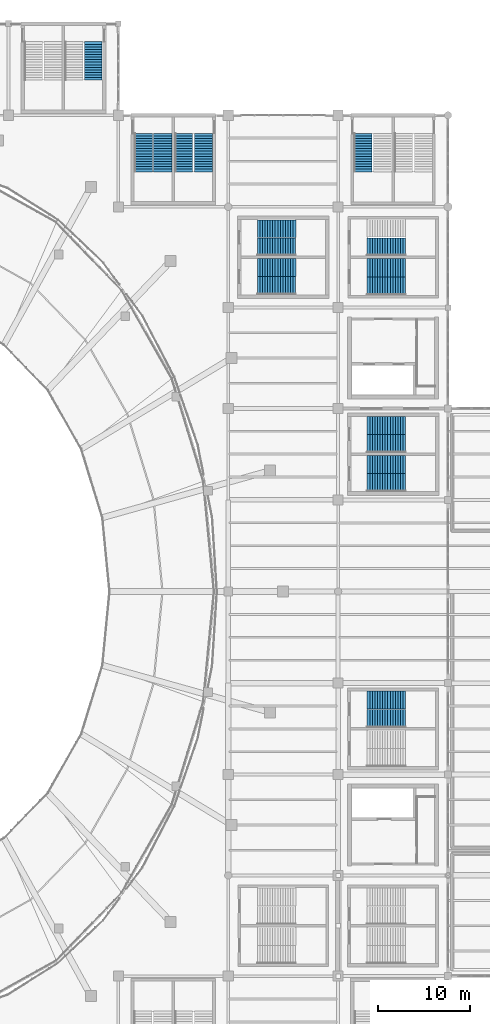
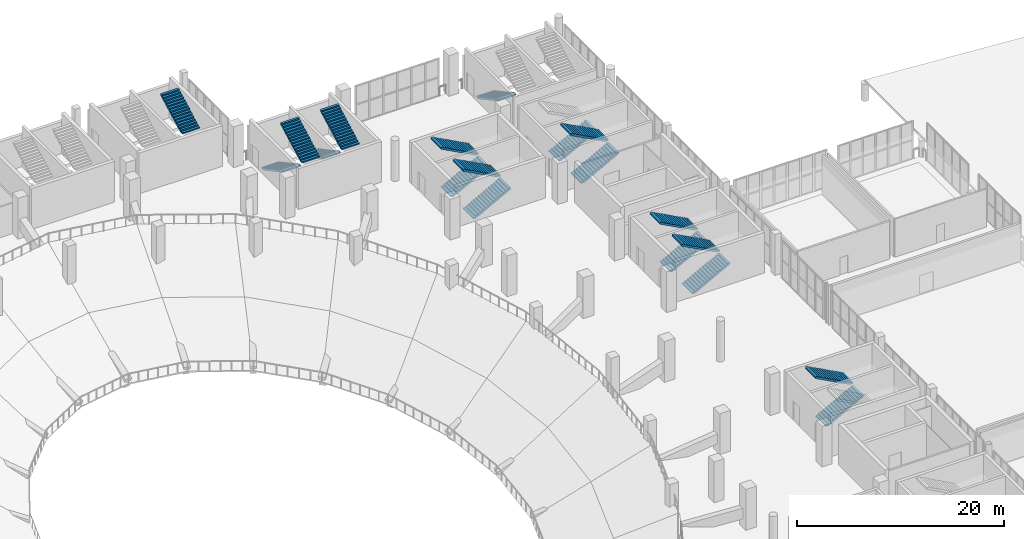
# One storey, part 118 of 136: 19 stair flights, 11 elements without a shape of their own.
"""IFC4 building model written with IfcOpenShell, lengths in metres."""

from ifc_helpers import new_model, si_unit, direction, frame, origin, place, context, subcontext, project, spatial, polyline, outline, extrude, material, layer, layer_set, type_object, element, aggregate, save


model = new_model("IFC4")

# Units and contexts
model_context = context("Model", 3, precision=1e-05, world=origin(), true_north=direction((0.0, 1.0)))
body_context = subcontext(model_context, "Body", "Model", "MODEL_VIEW")
ifc_project = project(units=[si_unit("LENGTHUNIT", "METRE"), si_unit("AREAUNIT", "SQUARE_METRE"), si_unit("VOLUMEUNIT", "CUBIC_METRE"), si_unit("PLANEANGLEUNIT", "RADIAN"), si_unit("MASSUNIT", "GRAM", prefix="KILO")], contexts=[model_context])

# Site, building, storey
site_placement = place(None, origin())
site = spatial("IfcSite", under=ifc_project, at=site_placement, CompositionType="ELEMENT")
building_placement = place(site_placement, origin())
building = spatial("IfcBuilding", under=site, at=building_placement, Name="Brinegate Civic Arena", CompositionType="ELEMENT")
storey_placement = place(building_placement, frame((0.0, 0.0, 5.39990234375)))
storey = spatial("IfcBuildingStorey", under=building, at=storey_placement, Name="L01", CompositionType="ELEMENT", Elevation=5.39990234375)

# Stair, stair flight
ifc_material = material(Name="Concrete C40/50", Category="concrete")
stair_type_1 = type_object("IfcStairType", Name="STAIR-EXIT-3700", PredefinedType="HALF_TURN_STAIR", material=ifc_material)
stair_1_placement = place(storey_placement, origin())
stair_1 = element("IfcStair", 1, at=stair_1_placement, inside=storey, type_object=stair_type_1, Name="Protected Exit Stair ST-03B (L01)", PredefinedType="HALF_TURN_STAIR")
ifc_layer_1 = layer(ifc_material, 0.179931640625, Name="Concrete C40/50")
ifc_layer_set_1 = layer_set([ifc_layer_1], Name="Concrete C40/50")
stair_flight_type_1 = type_object("IfcStairFlightType", Name="FLIGHT-EXIT-3700", PredefinedType="STRAIGHT", material=ifc_layer_set_1)
stair_flight_1_placement = place(storey_placement, frame((129.260009765625, 117.830078125, 2.400146484375), z_axis=(0.0, 0.0, 1.0), x_axis=(0.0, 1.0, 0.0)))
stair_flight_1 = element("IfcStairFlight", 2, at=stair_flight_1_placement, type_object=stair_flight_type_1, Name="ST-03B flight 2", NumberOfRisers=16, NumberOfTreads=15, PredefinedType="STRAIGHT", RiserHeight=0.15, TreadLength=0.28, context=body_context, shape_type="SweptSolid", body=[
    extrude(outline(polyline([(0.0, 0.0), (0.0, 0.14990234375), (0.280029296875, 0.14990234375), (0.280029296875, 0.300048828125), (0.56005859375, 0.300048828125), (0.56005859375, 0.449951171875), (0.840087890625, 0.449951171875), (0.840087890625, 0.60009765625), (1.1201171875, 0.60009765625), (1.1201171875, 0.75), (1.39990234375, 0.75), (1.39990234375, 0.89990234375), (1.679931640625, 0.89990234375), (1.679931640625, 1.050048828125), (1.9599609375, 1.050048828125), (1.9599609375, 1.199951171875), (2.239990234375, 1.199951171875), (2.239990234375, 1.35009765625), (2.52001953125, 1.35009765625), (2.52001953125, 1.5), (2.800048828125, 1.5), (2.800048828125, 1.64990234375), (3.080078125, 1.64990234375), (3.080078125, 1.800048828125), (3.360107421875, 1.800048828125), (3.360107421875, 1.949951171875), (3.639892578125, 1.949951171875), (3.639892578125, 2.10009765625), (3.919921875, 2.10009765625), (3.919921875, 2.25), (4.199951171875, 2.25), (4.199951171875, 2.39990234375), (4.199951171875, 2.0458984375), (0.381103515625, 0.0), (0.0, 0.0)])), frame((0.0, 0.97998046875, 0.0), z_axis=(0.0, -1.0, 0.0), x_axis=(1.0, 0.0, 0.0)), (0.0, 0.0, 1.0), 1.9599609375),
])
aggregate(stair_1, [stair_flight_1])

# Stair, stair flights
stair_2_placement = place(storey_placement, origin())
stair_2 = element("IfcStair", 3, at=stair_2_placement, inside=storey, type_object=stair_type_1, Name="Protected Exit Stair ST-09B (L01)", PredefinedType="HALF_TURN_STAIR")
stair_flight_2_placement = place(storey_placement, frame((159.169921875, 78.139892578125, 0.0), z_axis=(0.0, 0.0, 1.0), x_axis=(1.0, 0.0, 0.0)))
stair_flight_2 = element("IfcStairFlight", 4, at=stair_flight_2_placement, type_object=stair_flight_type_1, Name="ST-09B flight 1", NumberOfRisers=16, NumberOfTreads=15, PredefinedType="STRAIGHT", RiserHeight=0.15, TreadLength=0.28, context=body_context, shape_type="SweptSolid", body=[
    extrude(outline(polyline([(0.0, 0.0), (0.0, 0.14990234375), (0.280029296875, 0.14990234375), (0.280029296875, 0.300048828125), (0.56005859375, 0.300048828125), (0.56005859375, 0.449951171875), (0.840087890625, 0.449951171875), (0.840087890625, 0.60009765625), (1.1201171875, 0.60009765625), (1.1201171875, 0.75), (1.39990234375, 0.75), (1.39990234375, 0.89990234375), (1.679931640625, 0.89990234375), (1.679931640625, 1.050048828125), (1.9599609375, 1.050048828125), (1.9599609375, 1.199951171875), (2.239990234375, 1.199951171875), (2.239990234375, 1.35009765625), (2.52001953125, 1.35009765625), (2.52001953125, 1.5), (2.800048828125, 1.5), (2.800048828125, 1.64990234375), (3.080078125, 1.64990234375), (3.080078125, 1.800048828125), (3.360107421875, 1.800048828125), (3.360107421875, 1.949951171875), (3.639892578125, 1.949951171875), (3.639892578125, 2.10009765625), (3.919921875, 2.10009765625), (3.919921875, 2.25), (4.199951171875, 2.25), (4.199951171875, 2.39990234375), (4.199951171875, 2.0458984375), (0.381103515625, 0.0), (0.0, 0.0)])), frame((0.0, 0.97998046875, 0.0), z_axis=(0.0, -1.0, 0.0), x_axis=(1.0, 0.0, 0.0)), (0.0, 0.0, 1.0), 1.9599609375),
])
stair_flight_3_placement = place(storey_placement, frame((163.3701171875, 80.110107421875, 2.400146484375), z_axis=(0.0, 0.0, 1.0), x_axis=(-1.0, 0.0, 0.0)))
stair_flight_3 = element("IfcStairFlight", 5, at=stair_flight_3_placement, type_object=stair_flight_type_1, Name="ST-09B flight 2", NumberOfRisers=16, NumberOfTreads=15, PredefinedType="STRAIGHT", RiserHeight=0.15, TreadLength=0.28, context=body_context, shape_type="SweptSolid", body=[
    extrude(outline(polyline([(0.0, 0.0), (0.0, 0.14990234375), (0.280029296875, 0.14990234375), (0.280029296875, 0.300048828125), (0.56005859375, 0.300048828125), (0.56005859375, 0.449951171875), (0.840087890625, 0.449951171875), (0.840087890625, 0.60009765625), (1.1201171875, 0.60009765625), (1.1201171875, 0.75), (1.39990234375, 0.75), (1.39990234375, 0.89990234375), (1.679931640625, 0.89990234375), (1.679931640625, 1.050048828125), (1.9599609375, 1.050048828125), (1.9599609375, 1.199951171875), (2.239990234375, 1.199951171875), (2.239990234375, 1.35009765625), (2.52001953125, 1.35009765625), (2.52001953125, 1.5), (2.800048828125, 1.5), (2.800048828125, 1.64990234375), (3.080078125, 1.64990234375), (3.080078125, 1.800048828125), (3.360107421875, 1.800048828125), (3.360107421875, 1.949951171875), (3.639892578125, 1.949951171875), (3.639892578125, 2.10009765625), (3.919921875, 2.10009765625), (3.919921875, 2.25), (4.199951171875, 2.25), (4.199951171875, 2.39990234375), (4.199951171875, 2.0458984375), (0.381103515625, 0.0), (0.0, 0.0)])), frame((0.0, 0.97998046875, 0.0), z_axis=(0.0, -1.0, 0.0), x_axis=(1.0, 0.0, 0.0)), (0.0, 0.0, 1.0), 1.9599609375),
])
aggregate(stair_2, [stair_flight_2, stair_flight_3])

stair_3_placement = place(storey_placement, origin())
stair_3 = element("IfcStair", 6, at=stair_3_placement, inside=storey, type_object=stair_type_1, Name="Protected Exit Stair ST-10B (L01)", PredefinedType="HALF_TURN_STAIR")
stair_flight_4_placement = place(storey_placement, frame((159.169921875, 48.139892578125, 0.0), z_axis=(0.0, 0.0, 1.0), x_axis=(1.0, 0.0, 0.0)))
stair_flight_4 = element("IfcStairFlight", 7, at=stair_flight_4_placement, type_object=stair_flight_type_1, Name="ST-10B flight 1", NumberOfRisers=16, NumberOfTreads=15, PredefinedType="STRAIGHT", RiserHeight=0.15, TreadLength=0.28, context=body_context, shape_type="SweptSolid", body=[
    extrude(outline(polyline([(0.0, 0.0), (0.0, 0.14990234375), (0.280029296875, 0.14990234375), (0.280029296875, 0.300048828125), (0.56005859375, 0.300048828125), (0.56005859375, 0.449951171875), (0.840087890625, 0.449951171875), (0.840087890625, 0.60009765625), (1.1201171875, 0.60009765625), (1.1201171875, 0.75), (1.39990234375, 0.75), (1.39990234375, 0.89990234375), (1.679931640625, 0.89990234375), (1.679931640625, 1.050048828125), (1.9599609375, 1.050048828125), (1.9599609375, 1.199951171875), (2.239990234375, 1.199951171875), (2.239990234375, 1.35009765625), (2.52001953125, 1.35009765625), (2.52001953125, 1.5), (2.800048828125, 1.5), (2.800048828125, 1.64990234375), (3.080078125, 1.64990234375), (3.080078125, 1.800048828125), (3.360107421875, 1.800048828125), (3.360107421875, 1.949951171875), (3.639892578125, 1.949951171875), (3.639892578125, 2.10009765625), (3.919921875, 2.10009765625), (3.919921875, 2.25), (4.199951171875, 2.25), (4.199951171875, 2.39990234375), (4.199951171875, 2.0458984375), (0.381103515625, 0.0), (0.0, 0.0)])), frame((0.0, 0.97998046875, 0.0), z_axis=(0.0, -1.0, 0.0), x_axis=(1.0, 0.0, 0.0)), (0.0, 0.0, 1.0), 1.9599609375),
])
stair_flight_5_placement = place(storey_placement, frame((163.3701171875, 50.1298828125, 2.400146484375), z_axis=(0.0, 0.0, 1.0), x_axis=(-1.0, 0.0, 0.0)))
stair_flight_5 = element("IfcStairFlight", 8, at=stair_flight_5_placement, type_object=stair_flight_type_1, Name="ST-10B flight 2", NumberOfRisers=16, NumberOfTreads=15, PredefinedType="STRAIGHT", RiserHeight=0.15, TreadLength=0.28, context=body_context, shape_type="SweptSolid", body=[
    extrude(outline(polyline([(0.0, 0.0), (0.0, 0.14990234375), (0.280029296875, 0.14990234375), (0.280029296875, 0.300048828125), (0.56005859375, 0.300048828125), (0.56005859375, 0.449951171875), (0.840087890625, 0.449951171875), (0.840087890625, 0.60009765625), (1.1201171875, 0.60009765625), (1.1201171875, 0.75), (1.39990234375, 0.75), (1.39990234375, 0.89990234375), (1.679931640625, 0.89990234375), (1.679931640625, 1.050048828125), (1.9599609375, 1.050048828125), (1.9599609375, 1.199951171875), (2.239990234375, 1.199951171875), (2.239990234375, 1.35009765625), (2.52001953125, 1.35009765625), (2.52001953125, 1.5), (2.800048828125, 1.5), (2.800048828125, 1.64990234375), (3.080078125, 1.64990234375), (3.080078125, 1.800048828125), (3.360107421875, 1.800048828125), (3.360107421875, 1.949951171875), (3.639892578125, 1.949951171875), (3.639892578125, 2.10009765625), (3.919921875, 2.10009765625), (3.919921875, 2.25), (4.199951171875, 2.25), (4.199951171875, 2.39990234375), (4.199951171875, 2.0458984375), (0.381103515625, 0.0), (0.0, 0.0)])), frame((0.0, 0.97998046875, 0.0), z_axis=(0.0, -1.0, 0.0), x_axis=(1.0, 0.0, 0.0)), (0.0, 0.0, 1.0), 1.9599609375),
])
aggregate(stair_3, [stair_flight_4, stair_flight_5])

stair_4_placement = place(storey_placement, origin())
stair_4 = element("IfcStair", 9, at=stair_4_placement, inside=storey, type_object=stair_type_1, Name="Protected Exit Stair ST-13B (L01)", PredefinedType="HALF_TURN_STAIR")
stair_flight_6_placement = place(storey_placement, frame((139.139892578125, 112.030029296875, 0.0), z_axis=(0.0, 0.0, 1.0), x_axis=(0.0, -1.0, 0.0)))
stair_flight_6 = element("IfcStairFlight", 10, at=stair_flight_6_placement, type_object=stair_flight_type_1, Name="ST-13B flight 1", NumberOfRisers=16, NumberOfTreads=15, PredefinedType="STRAIGHT", RiserHeight=0.15, TreadLength=0.28, context=body_context, shape_type="SweptSolid", body=[
    extrude(outline(polyline([(0.0, 0.0), (0.0, 0.14990234375), (0.280029296875, 0.14990234375), (0.280029296875, 0.300048828125), (0.56005859375, 0.300048828125), (0.56005859375, 0.449951171875), (0.840087890625, 0.449951171875), (0.840087890625, 0.60009765625), (1.1201171875, 0.60009765625), (1.1201171875, 0.75), (1.39990234375, 0.75), (1.39990234375, 0.89990234375), (1.679931640625, 0.89990234375), (1.679931640625, 1.050048828125), (1.9599609375, 1.050048828125), (1.9599609375, 1.199951171875), (2.239990234375, 1.199951171875), (2.239990234375, 1.35009765625), (2.52001953125, 1.35009765625), (2.52001953125, 1.5), (2.800048828125, 1.5), (2.800048828125, 1.64990234375), (3.080078125, 1.64990234375), (3.080078125, 1.800048828125), (3.360107421875, 1.800048828125), (3.360107421875, 1.949951171875), (3.639892578125, 1.949951171875), (3.639892578125, 2.10009765625), (3.919921875, 2.10009765625), (3.919921875, 2.25), (4.199951171875, 2.25), (4.199951171875, 2.39990234375), (4.199951171875, 2.0458984375), (0.381103515625, 0.0), (0.0, 0.0)])), frame((0.0, 0.97998046875, 0.0), z_axis=(0.0, -1.0, 0.0), x_axis=(1.0, 0.0, 0.0)), (0.0, 0.0, 1.0), 1.9599609375),
])
stair_flight_7_placement = place(storey_placement, frame((141.280029296875, 107.830078125, 2.400146484375), z_axis=(0.0, 0.0, 1.0), x_axis=(0.0, 1.0, 0.0)))
stair_flight_7 = element("IfcStairFlight", 11, at=stair_flight_7_placement, type_object=stair_flight_type_1, Name="ST-13B flight 2", NumberOfRisers=16, NumberOfTreads=15, PredefinedType="STRAIGHT", RiserHeight=0.15, TreadLength=0.28, context=body_context, shape_type="SweptSolid", body=[
    extrude(outline(polyline([(0.0, 0.0), (0.0, 0.14990234375), (0.280029296875, 0.14990234375), (0.280029296875, 0.300048828125), (0.56005859375, 0.300048828125), (0.56005859375, 0.449951171875), (0.840087890625, 0.449951171875), (0.840087890625, 0.60009765625), (1.1201171875, 0.60009765625), (1.1201171875, 0.75), (1.39990234375, 0.75), (1.39990234375, 0.89990234375), (1.679931640625, 0.89990234375), (1.679931640625, 1.050048828125), (1.9599609375, 1.050048828125), (1.9599609375, 1.199951171875), (2.239990234375, 1.199951171875), (2.239990234375, 1.35009765625), (2.52001953125, 1.35009765625), (2.52001953125, 1.5), (2.800048828125, 1.5), (2.800048828125, 1.64990234375), (3.080078125, 1.64990234375), (3.080078125, 1.800048828125), (3.360107421875, 1.800048828125), (3.360107421875, 1.949951171875), (3.639892578125, 1.949951171875), (3.639892578125, 2.10009765625), (3.919921875, 2.10009765625), (3.919921875, 2.25), (4.199951171875, 2.25), (4.199951171875, 2.39990234375), (4.199951171875, 2.0458984375), (0.381103515625, 0.0), (0.0, 0.0)])), frame((0.0, 0.97998046875, 0.0), z_axis=(0.0, -1.0, 0.0), x_axis=(1.0, 0.0, 0.0)), (0.0, 0.0, 1.0), 1.9599609375),
])
aggregate(stair_4, [stair_flight_6, stair_flight_7])

stair_5_placement = place(storey_placement, origin())
stair_5 = element("IfcStair", 12, at=stair_5_placement, inside=storey, type_object=stair_type_1, Name="Protected Exit Stair ST-18B (L01)", PredefinedType="HALF_TURN_STAIR")
stair_flight_8_placement = place(storey_placement, frame((147.169921875, 99.639892578125, 0.0), z_axis=(0.0, 0.0, 1.0), x_axis=(1.0, 0.0, 0.0)))
stair_flight_8 = element("IfcStairFlight", 13, at=stair_flight_8_placement, type_object=stair_flight_type_1, Name="ST-18B flight 1", NumberOfRisers=16, NumberOfTreads=15, PredefinedType="STRAIGHT", RiserHeight=0.15, TreadLength=0.28, context=body_context, shape_type="SweptSolid", body=[
    extrude(outline(polyline([(0.0, 0.0), (0.0, 0.14990234375), (0.280029296875, 0.14990234375), (0.280029296875, 0.300048828125), (0.56005859375, 0.300048828125), (0.56005859375, 0.449951171875), (0.840087890625, 0.449951171875), (0.840087890625, 0.60009765625), (1.1201171875, 0.60009765625), (1.1201171875, 0.75), (1.39990234375, 0.75), (1.39990234375, 0.89990234375), (1.679931640625, 0.89990234375), (1.679931640625, 1.050048828125), (1.9599609375, 1.050048828125), (1.9599609375, 1.199951171875), (2.239990234375, 1.199951171875), (2.239990234375, 1.35009765625), (2.52001953125, 1.35009765625), (2.52001953125, 1.5), (2.800048828125, 1.5), (2.800048828125, 1.64990234375), (3.080078125, 1.64990234375), (3.080078125, 1.800048828125), (3.360107421875, 1.800048828125), (3.360107421875, 1.949951171875), (3.639892578125, 1.949951171875), (3.639892578125, 2.10009765625), (3.919921875, 2.10009765625), (3.919921875, 2.25), (4.199951171875, 2.25), (4.199951171875, 2.39990234375), (4.199951171875, 2.0458984375), (0.381103515625, 0.0), (0.0, 0.0)])), frame((0.0, 0.97998046875, 0.0), z_axis=(0.0, -1.0, 0.0), x_axis=(1.0, 0.0, 0.0)), (0.0, 0.0, 1.0), 1.9599609375),
])
stair_flight_9_placement = place(storey_placement, frame((151.3701171875, 101.610107421875, 2.400146484375), z_axis=(0.0, 0.0, 1.0), x_axis=(-1.0, 0.0, 0.0)))
stair_flight_9 = element("IfcStairFlight", 14, at=stair_flight_9_placement, type_object=stair_flight_type_1, Name="ST-18B flight 2", NumberOfRisers=16, NumberOfTreads=15, PredefinedType="STRAIGHT", RiserHeight=0.15, TreadLength=0.28, context=body_context, shape_type="SweptSolid", body=[
    extrude(outline(polyline([(0.0, 0.0), (0.0, 0.14990234375), (0.280029296875, 0.14990234375), (0.280029296875, 0.300048828125), (0.56005859375, 0.300048828125), (0.56005859375, 0.449951171875), (0.840087890625, 0.449951171875), (0.840087890625, 0.60009765625), (1.1201171875, 0.60009765625), (1.1201171875, 0.75), (1.39990234375, 0.75), (1.39990234375, 0.89990234375), (1.679931640625, 0.89990234375), (1.679931640625, 1.050048828125), (1.9599609375, 1.050048828125), (1.9599609375, 1.199951171875), (2.239990234375, 1.199951171875), (2.239990234375, 1.35009765625), (2.52001953125, 1.35009765625), (2.52001953125, 1.5), (2.800048828125, 1.5), (2.800048828125, 1.64990234375), (3.080078125, 1.64990234375), (3.080078125, 1.800048828125), (3.360107421875, 1.800048828125), (3.360107421875, 1.949951171875), (3.639892578125, 1.949951171875), (3.639892578125, 2.10009765625), (3.919921875, 2.10009765625), (3.919921875, 2.25), (4.199951171875, 2.25), (4.199951171875, 2.39990234375), (4.199951171875, 2.0458984375), (0.381103515625, 0.0), (0.0, 0.0)])), frame((0.0, 0.97998046875, 0.0), z_axis=(0.0, -1.0, 0.0), x_axis=(1.0, 0.0, 0.0)), (0.0, 0.0, 1.0), 1.9599609375),
])
aggregate(stair_5, [stair_flight_8, stair_flight_9])

# Stair, stair flight
stair_6_placement = place(storey_placement, origin())
stair_6 = element("IfcStair", 15, at=stair_6_placement, inside=storey, type_object=stair_type_1, Name="Protected Exit Stair ST-20B (L01)", PredefinedType="HALF_TURN_STAIR")
stair_flight_10_placement = place(storey_placement, frame((159.169921875, 99.639892578125, 0.0), z_axis=(0.0, 0.0, 1.0), x_axis=(1.0, 0.0, 0.0)))
stair_flight_10 = element("IfcStairFlight", 16, at=stair_flight_10_placement, type_object=stair_flight_type_1, Name="ST-20B flight 1", NumberOfRisers=16, NumberOfTreads=15, PredefinedType="STRAIGHT", RiserHeight=0.15, TreadLength=0.28, context=body_context, shape_type="SweptSolid", body=[
    extrude(outline(polyline([(0.0, 0.0), (0.0, 0.14990234375), (0.280029296875, 0.14990234375), (0.280029296875, 0.300048828125), (0.56005859375, 0.300048828125), (0.56005859375, 0.449951171875), (0.840087890625, 0.449951171875), (0.840087890625, 0.60009765625), (1.1201171875, 0.60009765625), (1.1201171875, 0.75), (1.39990234375, 0.75), (1.39990234375, 0.89990234375), (1.679931640625, 0.89990234375), (1.679931640625, 1.050048828125), (1.9599609375, 1.050048828125), (1.9599609375, 1.199951171875), (2.239990234375, 1.199951171875), (2.239990234375, 1.35009765625), (2.52001953125, 1.35009765625), (2.52001953125, 1.5), (2.800048828125, 1.5), (2.800048828125, 1.64990234375), (3.080078125, 1.64990234375), (3.080078125, 1.800048828125), (3.360107421875, 1.800048828125), (3.360107421875, 1.949951171875), (3.639892578125, 1.949951171875), (3.639892578125, 2.10009765625), (3.919921875, 2.10009765625), (3.919921875, 2.25), (4.199951171875, 2.25), (4.199951171875, 2.39990234375), (4.199951171875, 2.0458984375), (0.381103515625, 0.0), (0.0, 0.0)])), frame((0.0, 0.97998046875, 0.0), z_axis=(0.0, -1.0, 0.0), x_axis=(1.0, 0.0, 0.0)), (0.0, 0.0, 1.0), 1.9599609375),
])
aggregate(stair_6, [stair_flight_10])

stair_type_2 = type_object("IfcStairType", Name="STAIR-EXIT-3850", PredefinedType="HALF_TURN_STAIR", material=ifc_material)
stair_7_placement = place(storey_placement, origin())
stair_7 = element("IfcStair", 17, at=stair_7_placement, inside=storey, type_object=stair_type_2, Name="Protected Exit Stair ST-05A (L01)", PredefinedType="HALF_TURN_STAIR")
ifc_layer_2 = layer(ifc_material, 0.179931640625, Name="Concrete C40/50")
ifc_layer_set_2 = layer_set([ifc_layer_2], Name="Concrete C40/50")
stair_flight_type_2 = type_object("IfcStairFlightType", Name="FLIGHT-EXIT-3850", PredefinedType="STRAIGHT", material=ifc_layer_set_2)
stair_flight_11_placement = place(storey_placement, frame((158.699951171875, 112.030029296875, 0.0), z_axis=(0.0, 0.0, 1.0), x_axis=(0.0, -1.0, 0.0)))
stair_flight_11 = element("IfcStairFlight", 18, at=stair_flight_11_placement, type_object=stair_flight_type_2, Name="ST-05A flight 1", NumberOfRisers=16, NumberOfTreads=15, PredefinedType="STRAIGHT", RiserHeight=0.15, TreadLength=0.28, context=body_context, shape_type="SweptSolid", body=[
    extrude(outline(polyline([(0.0, 0.0), (0.0, 0.14990234375), (0.280029296875, 0.14990234375), (0.280029296875, 0.300048828125), (0.56005859375, 0.300048828125), (0.56005859375, 0.449951171875), (0.840087890625, 0.449951171875), (0.840087890625, 0.60009765625), (1.1201171875, 0.60009765625), (1.1201171875, 0.75), (1.39990234375, 0.75), (1.39990234375, 0.89990234375), (1.679931640625, 0.89990234375), (1.679931640625, 1.050048828125), (1.9599609375, 1.050048828125), (1.9599609375, 1.199951171875), (2.239990234375, 1.199951171875), (2.239990234375, 1.35009765625), (2.52001953125, 1.35009765625), (2.52001953125, 1.5), (2.800048828125, 1.5), (2.800048828125, 1.64990234375), (3.080078125, 1.64990234375), (3.080078125, 1.800048828125), (3.360107421875, 1.800048828125), (3.360107421875, 1.949951171875), (3.639892578125, 1.949951171875), (3.639892578125, 2.10009765625), (3.919921875, 2.10009765625), (3.919921875, 2.25), (4.199951171875, 2.25), (4.199951171875, 2.39990234375), (4.199951171875, 2.0458984375), (0.381103515625, 0.0), (0.0, 0.0)])), frame((0.0, 0.989990234375, 0.0), z_axis=(0.0, -1.0, 0.0), x_axis=(1.0, 0.0, 0.0)), (0.0, 0.0, 1.0), 1.97998046875),
])
aggregate(stair_7, [stair_flight_11])

# Stair, stair flights
stair_8_placement = place(storey_placement, origin())
stair_8 = element("IfcStair", 19, at=stair_8_placement, inside=storey, type_object=stair_type_2, Name="Protected Exit Stair ST-09A (L01)", PredefinedType="HALF_TURN_STAIR")
stair_flight_12_placement = place(storey_placement, frame((159.169921875, 73.89306640625, 0.0), z_axis=(0.0, 0.0, 1.0), x_axis=(1.0, 0.0, 0.0)))
stair_flight_12 = element("IfcStairFlight", 20, at=stair_flight_12_placement, type_object=stair_flight_type_2, Name="ST-09A flight 1", NumberOfRisers=16, NumberOfTreads=15, PredefinedType="STRAIGHT", RiserHeight=0.15, TreadLength=0.28, context=body_context, shape_type="SweptSolid", body=[
    extrude(outline(polyline([(0.0, 0.0), (0.0, 0.14990234375), (0.280029296875, 0.14990234375), (0.280029296875, 0.300048828125), (0.56005859375, 0.300048828125), (0.56005859375, 0.449951171875), (0.840087890625, 0.449951171875), (0.840087890625, 0.60009765625), (1.1201171875, 0.60009765625), (1.1201171875, 0.75), (1.39990234375, 0.75), (1.39990234375, 0.89990234375), (1.679931640625, 0.89990234375), (1.679931640625, 1.050048828125), (1.9599609375, 1.050048828125), (1.9599609375, 1.199951171875), (2.239990234375, 1.199951171875), (2.239990234375, 1.35009765625), (2.52001953125, 1.35009765625), (2.52001953125, 1.5), (2.800048828125, 1.5), (2.800048828125, 1.64990234375), (3.080078125, 1.64990234375), (3.080078125, 1.800048828125), (3.360107421875, 1.800048828125), (3.360107421875, 1.949951171875), (3.639892578125, 1.949951171875), (3.639892578125, 2.10009765625), (3.919921875, 2.10009765625), (3.919921875, 2.25), (4.199951171875, 2.25), (4.199951171875, 2.39990234375), (4.199951171875, 2.0458984375), (0.381103515625, 0.0), (0.0, 0.0)])), frame((0.0, 0.982421875, 0.0), z_axis=(0.0, -1.0, 0.0), x_axis=(1.0, 0.0, 0.0)), (0.0, 0.0, 1.0), 1.965087890625),
])
stair_flight_13_placement = place(storey_placement, frame((163.3701171875, 75.85791015625, 2.400146484375), z_axis=(0.0, 0.0, 1.0), x_axis=(-1.0, 0.0, 0.0)))
stair_flight_13 = element("IfcStairFlight", 21, at=stair_flight_13_placement, type_object=stair_flight_type_2, Name="ST-09A flight 2", NumberOfRisers=16, NumberOfTreads=15, PredefinedType="STRAIGHT", RiserHeight=0.15, TreadLength=0.28, context=body_context, shape_type="SweptSolid", body=[
    extrude(outline(polyline([(0.0, 0.0), (0.0, 0.14990234375), (0.280029296875, 0.14990234375), (0.280029296875, 0.300048828125), (0.56005859375, 0.300048828125), (0.56005859375, 0.449951171875), (0.840087890625, 0.449951171875), (0.840087890625, 0.60009765625), (1.1201171875, 0.60009765625), (1.1201171875, 0.75), (1.39990234375, 0.75), (1.39990234375, 0.89990234375), (1.679931640625, 0.89990234375), (1.679931640625, 1.050048828125), (1.9599609375, 1.050048828125), (1.9599609375, 1.199951171875), (2.239990234375, 1.199951171875), (2.239990234375, 1.35009765625), (2.52001953125, 1.35009765625), (2.52001953125, 1.5), (2.800048828125, 1.5), (2.800048828125, 1.64990234375), (3.080078125, 1.64990234375), (3.080078125, 1.800048828125), (3.360107421875, 1.800048828125), (3.360107421875, 1.949951171875), (3.639892578125, 1.949951171875), (3.639892578125, 2.10009765625), (3.919921875, 2.10009765625), (3.919921875, 2.25), (4.199951171875, 2.25), (4.199951171875, 2.39990234375), (4.199951171875, 2.0458984375), (0.381103515625, 0.0), (0.0, 0.0)])), frame((0.0, 0.982421875, 0.0), z_axis=(0.0, -1.0, 0.0), x_axis=(1.0, 0.0, 0.0)), (0.0, 0.0, 1.0), 1.965087890625),
])
aggregate(stair_8, [stair_flight_12, stair_flight_13])

stair_9_placement = place(storey_placement, origin())
stair_9 = element("IfcStair", 22, at=stair_9_placement, inside=storey, type_object=stair_type_2, Name="Protected Exit Stair ST-13A (L01)", PredefinedType="HALF_TURN_STAIR")
stair_flight_14_placement = place(storey_placement, frame((134.72998046875, 112.030029296875, 0.0), z_axis=(0.0, 0.0, 1.0), x_axis=(0.0, -1.0, 0.0)))
stair_flight_14 = element("IfcStairFlight", 23, at=stair_flight_14_placement, type_object=stair_flight_type_2, Name="ST-13A flight 1", NumberOfRisers=16, NumberOfTreads=15, PredefinedType="STRAIGHT", RiserHeight=0.15, TreadLength=0.28, context=body_context, shape_type="SweptSolid", body=[
    extrude(outline(polyline([(0.0, 0.0), (0.0, 0.14990234375), (0.280029296875, 0.14990234375), (0.280029296875, 0.300048828125), (0.56005859375, 0.300048828125), (0.56005859375, 0.449951171875), (0.840087890625, 0.449951171875), (0.840087890625, 0.60009765625), (1.1201171875, 0.60009765625), (1.1201171875, 0.75), (1.39990234375, 0.75), (1.39990234375, 0.89990234375), (1.679931640625, 0.89990234375), (1.679931640625, 1.050048828125), (1.9599609375, 1.050048828125), (1.9599609375, 1.199951171875), (2.239990234375, 1.199951171875), (2.239990234375, 1.35009765625), (2.52001953125, 1.35009765625), (2.52001953125, 1.5), (2.800048828125, 1.5), (2.800048828125, 1.64990234375), (3.080078125, 1.64990234375), (3.080078125, 1.800048828125), (3.360107421875, 1.800048828125), (3.360107421875, 1.949951171875), (3.639892578125, 1.949951171875), (3.639892578125, 2.10009765625), (3.919921875, 2.10009765625), (3.919921875, 2.25), (4.199951171875, 2.25), (4.199951171875, 2.39990234375), (4.199951171875, 2.0458984375), (0.381103515625, 0.0), (0.0, 0.0)])), frame((0.0, 0.989990234375, 0.0), z_axis=(0.0, -1.0, 0.0), x_axis=(1.0, 0.0, 0.0)), (0.0, 0.0, 1.0), 1.97998046875),
])
stair_flight_15_placement = place(storey_placement, frame((136.85009765625, 107.830078125, 2.400146484375), z_axis=(0.0, 0.0, 1.0), x_axis=(0.0, 1.0, 0.0)))
stair_flight_15 = element("IfcStairFlight", 24, at=stair_flight_15_placement, type_object=stair_flight_type_2, Name="ST-13A flight 2", NumberOfRisers=16, NumberOfTreads=15, PredefinedType="STRAIGHT", RiserHeight=0.15, TreadLength=0.28, context=body_context, shape_type="SweptSolid", body=[
    extrude(outline(polyline([(0.0, 0.0), (0.0, 0.14990234375), (0.280029296875, 0.14990234375), (0.280029296875, 0.300048828125), (0.56005859375, 0.300048828125), (0.56005859375, 0.449951171875), (0.840087890625, 0.449951171875), (0.840087890625, 0.60009765625), (1.1201171875, 0.60009765625), (1.1201171875, 0.75), (1.39990234375, 0.75), (1.39990234375, 0.89990234375), (1.679931640625, 0.89990234375), (1.679931640625, 1.050048828125), (1.9599609375, 1.050048828125), (1.9599609375, 1.199951171875), (2.239990234375, 1.199951171875), (2.239990234375, 1.35009765625), (2.52001953125, 1.35009765625), (2.52001953125, 1.5), (2.800048828125, 1.5), (2.800048828125, 1.64990234375), (3.080078125, 1.64990234375), (3.080078125, 1.800048828125), (3.360107421875, 1.800048828125), (3.360107421875, 1.949951171875), (3.639892578125, 1.949951171875), (3.639892578125, 2.10009765625), (3.919921875, 2.10009765625), (3.919921875, 2.25), (4.199951171875, 2.25), (4.199951171875, 2.39990234375), (4.199951171875, 2.0458984375), (0.381103515625, 0.0), (0.0, 0.0)])), frame((0.0, 0.989990234375, 0.0), z_axis=(0.0, -1.0, 0.0), x_axis=(1.0, 0.0, 0.0)), (0.0, 0.0, 1.0), 1.97998046875),
])
aggregate(stair_9, [stair_flight_14, stair_flight_15])

stair_10_placement = place(storey_placement, origin())
stair_10 = element("IfcStair", 25, at=stair_10_placement, inside=storey, type_object=stair_type_2, Name="Protected Exit Stair ST-18A (L01)", PredefinedType="HALF_TURN_STAIR")
stair_flight_16_placement = place(storey_placement, frame((147.169921875, 95.39306640625, 0.0), z_axis=(0.0, 0.0, 1.0), x_axis=(1.0, 0.0, 0.0)))
stair_flight_16 = element("IfcStairFlight", 26, at=stair_flight_16_placement, type_object=stair_flight_type_2, Name="ST-18A flight 1", NumberOfRisers=16, NumberOfTreads=15, PredefinedType="STRAIGHT", RiserHeight=0.15, TreadLength=0.28, context=body_context, shape_type="SweptSolid", body=[
    extrude(outline(polyline([(0.0, 0.0), (0.0, 0.14990234375), (0.280029296875, 0.14990234375), (0.280029296875, 0.300048828125), (0.56005859375, 0.300048828125), (0.56005859375, 0.449951171875), (0.840087890625, 0.449951171875), (0.840087890625, 0.60009765625), (1.1201171875, 0.60009765625), (1.1201171875, 0.75), (1.39990234375, 0.75), (1.39990234375, 0.89990234375), (1.679931640625, 0.89990234375), (1.679931640625, 1.050048828125), (1.9599609375, 1.050048828125), (1.9599609375, 1.199951171875), (2.239990234375, 1.199951171875), (2.239990234375, 1.35009765625), (2.52001953125, 1.35009765625), (2.52001953125, 1.5), (2.800048828125, 1.5), (2.800048828125, 1.64990234375), (3.080078125, 1.64990234375), (3.080078125, 1.800048828125), (3.360107421875, 1.800048828125), (3.360107421875, 1.949951171875), (3.639892578125, 1.949951171875), (3.639892578125, 2.10009765625), (3.919921875, 2.10009765625), (3.919921875, 2.25), (4.199951171875, 2.25), (4.199951171875, 2.39990234375), (4.199951171875, 2.0458984375), (0.381103515625, 0.0), (0.0, 0.0)])), frame((0.0, 0.982421875, 0.0), z_axis=(0.0, -1.0, 0.0), x_axis=(1.0, 0.0, 0.0)), (0.0, 0.0, 1.0), 1.965087890625),
])
stair_flight_17_placement = place(storey_placement, frame((151.3701171875, 97.35791015625, 2.400146484375), z_axis=(0.0, 0.0, 1.0), x_axis=(-1.0, 0.0, 0.0)))
stair_flight_17 = element("IfcStairFlight", 27, at=stair_flight_17_placement, type_object=stair_flight_type_2, Name="ST-18A flight 2", NumberOfRisers=16, NumberOfTreads=15, PredefinedType="STRAIGHT", RiserHeight=0.15, TreadLength=0.28, context=body_context, shape_type="SweptSolid", body=[
    extrude(outline(polyline([(0.0, 0.0), (0.0, 0.14990234375), (0.280029296875, 0.14990234375), (0.280029296875, 0.300048828125), (0.56005859375, 0.300048828125), (0.56005859375, 0.449951171875), (0.840087890625, 0.449951171875), (0.840087890625, 0.60009765625), (1.1201171875, 0.60009765625), (1.1201171875, 0.75), (1.39990234375, 0.75), (1.39990234375, 0.89990234375), (1.679931640625, 0.89990234375), (1.679931640625, 1.050048828125), (1.9599609375, 1.050048828125), (1.9599609375, 1.199951171875), (2.239990234375, 1.199951171875), (2.239990234375, 1.35009765625), (2.52001953125, 1.35009765625), (2.52001953125, 1.5), (2.800048828125, 1.5), (2.800048828125, 1.64990234375), (3.080078125, 1.64990234375), (3.080078125, 1.800048828125), (3.360107421875, 1.800048828125), (3.360107421875, 1.949951171875), (3.639892578125, 1.949951171875), (3.639892578125, 2.10009765625), (3.919921875, 2.10009765625), (3.919921875, 2.25), (4.199951171875, 2.25), (4.199951171875, 2.39990234375), (4.199951171875, 2.0458984375), (0.381103515625, 0.0), (0.0, 0.0)])), frame((0.0, 0.982421875, 0.0), z_axis=(0.0, -1.0, 0.0), x_axis=(1.0, 0.0, 0.0)), (0.0, 0.0, 1.0), 1.965087890625),
])
aggregate(stair_10, [stair_flight_16, stair_flight_17])

stair_11_placement = place(storey_placement, origin())
stair_11 = element("IfcStair", 28, at=stair_11_placement, inside=storey, type_object=stair_type_2, Name="Protected Exit Stair ST-20A (L01)", PredefinedType="HALF_TURN_STAIR")
stair_flight_18_placement = place(storey_placement, frame((159.169921875, 95.35009765625, 0.0), z_axis=(0.0, 0.0, 1.0), x_axis=(1.0, 0.0, 0.0)))
stair_flight_18 = element("IfcStairFlight", 29, at=stair_flight_18_placement, type_object=stair_flight_type_2, Name="ST-20A flight 1", NumberOfRisers=16, NumberOfTreads=15, PredefinedType="STRAIGHT", RiserHeight=0.15, TreadLength=0.28, context=body_context, shape_type="SweptSolid", body=[
    extrude(outline(polyline([(0.0, 0.0), (0.0, 0.14990234375), (0.280029296875, 0.14990234375), (0.280029296875, 0.300048828125), (0.56005859375, 0.300048828125), (0.56005859375, 0.449951171875), (0.840087890625, 0.449951171875), (0.840087890625, 0.60009765625), (1.1201171875, 0.60009765625), (1.1201171875, 0.75), (1.39990234375, 0.75), (1.39990234375, 0.89990234375), (1.679931640625, 0.89990234375), (1.679931640625, 1.050048828125), (1.9599609375, 1.050048828125), (1.9599609375, 1.199951171875), (2.239990234375, 1.199951171875), (2.239990234375, 1.35009765625), (2.52001953125, 1.35009765625), (2.52001953125, 1.5), (2.800048828125, 1.5), (2.800048828125, 1.64990234375), (3.080078125, 1.64990234375), (3.080078125, 1.800048828125), (3.360107421875, 1.800048828125), (3.360107421875, 1.949951171875), (3.639892578125, 1.949951171875), (3.639892578125, 2.10009765625), (3.919921875, 2.10009765625), (3.919921875, 2.25), (4.199951171875, 2.25), (4.199951171875, 2.39990234375), (4.199951171875, 2.0458984375), (0.381103515625, 0.0), (0.0, 0.0)])), frame((0.0, 0.989990234375, 0.0), z_axis=(0.0, -1.0, 0.0), x_axis=(1.0, 0.0, 0.0)), (0.0, 0.0, 1.0), 1.97998046875),
])
stair_flight_19_placement = place(storey_placement, frame((163.3701171875, 97.35009765625, 2.400146484375), z_axis=(0.0, 0.0, 1.0), x_axis=(-1.0, 0.0, 0.0)))
stair_flight_19 = element("IfcStairFlight", 30, at=stair_flight_19_placement, type_object=stair_flight_type_2, Name="ST-20A flight 2", NumberOfRisers=16, NumberOfTreads=15, PredefinedType="STRAIGHT", RiserHeight=0.15, TreadLength=0.28, context=body_context, shape_type="SweptSolid", body=[
    extrude(outline(polyline([(0.0, 0.0), (0.0, 0.14990234375), (0.280029296875, 0.14990234375), (0.280029296875, 0.300048828125), (0.56005859375, 0.300048828125), (0.56005859375, 0.449951171875), (0.840087890625, 0.449951171875), (0.840087890625, 0.60009765625), (1.1201171875, 0.60009765625), (1.1201171875, 0.75), (1.39990234375, 0.75), (1.39990234375, 0.89990234375), (1.679931640625, 0.89990234375), (1.679931640625, 1.050048828125), (1.9599609375, 1.050048828125), (1.9599609375, 1.199951171875), (2.239990234375, 1.199951171875), (2.239990234375, 1.35009765625), (2.52001953125, 1.35009765625), (2.52001953125, 1.5), (2.800048828125, 1.5), (2.800048828125, 1.64990234375), (3.080078125, 1.64990234375), (3.080078125, 1.800048828125), (3.360107421875, 1.800048828125), (3.360107421875, 1.949951171875), (3.639892578125, 1.949951171875), (3.639892578125, 2.10009765625), (3.919921875, 2.10009765625), (3.919921875, 2.25), (4.199951171875, 2.25), (4.199951171875, 2.39990234375), (4.199951171875, 2.0458984375), (0.381103515625, 0.0), (0.0, 0.0)])), frame((0.0, 0.989990234375, 0.0), z_axis=(0.0, -1.0, 0.0), x_axis=(1.0, 0.0, 0.0)), (0.0, 0.0, 1.0), 1.97998046875),
])
aggregate(stair_11, [stair_flight_18, stair_flight_19])

save(model, "model.ifc")
